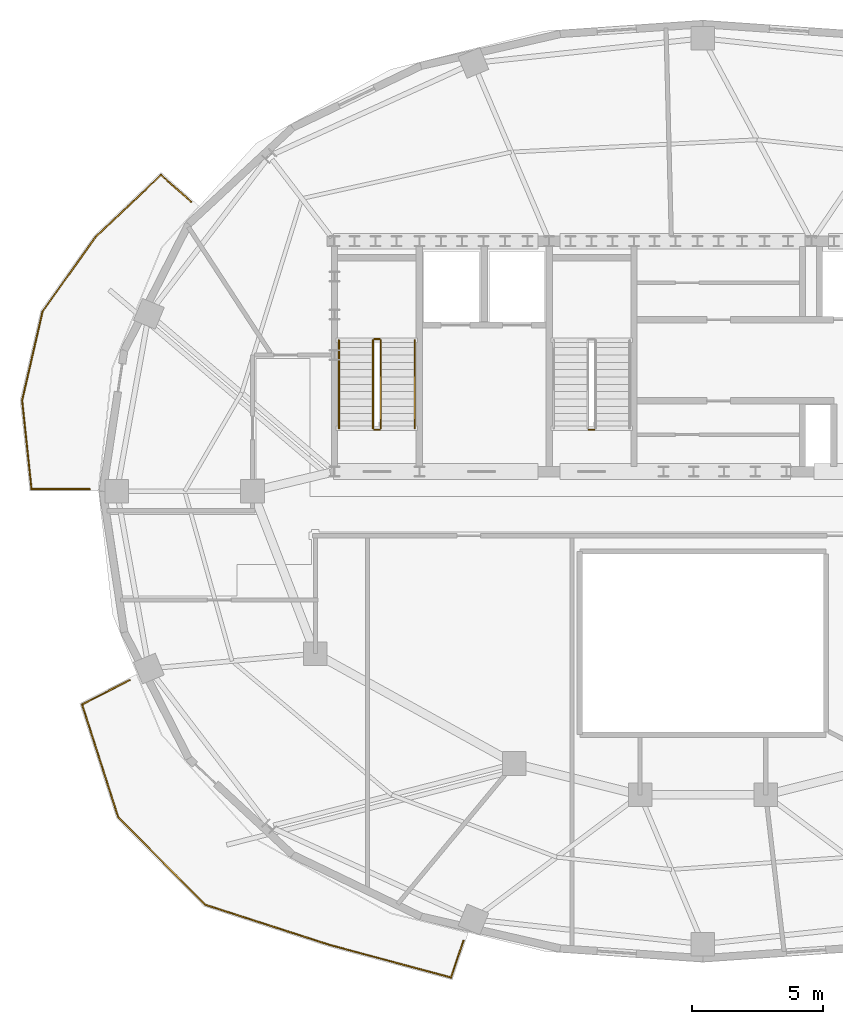
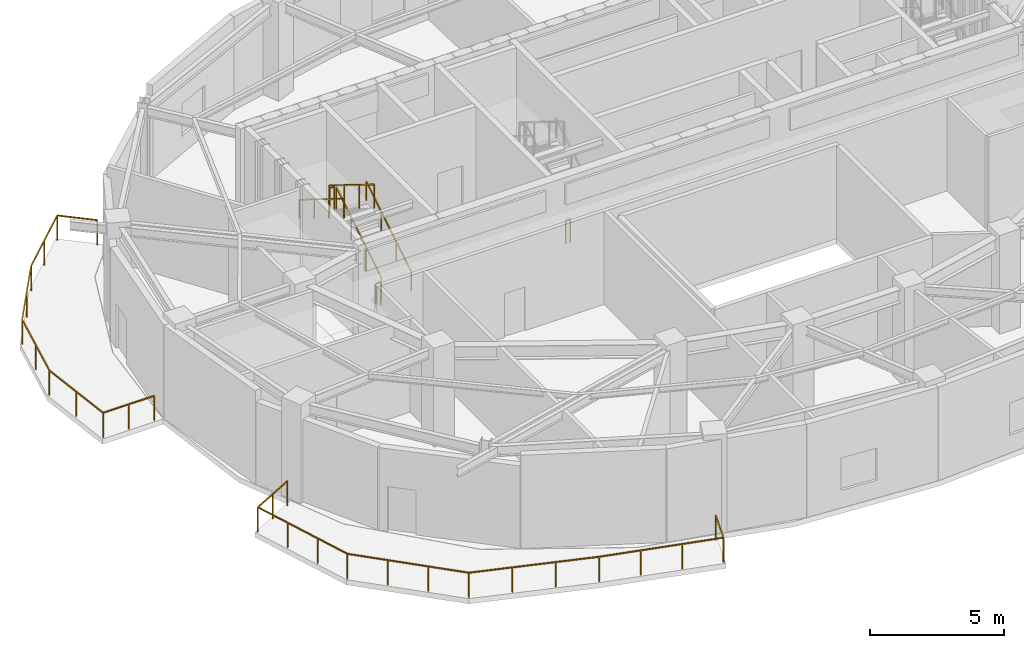
# One storey, part 6 of 9: 9 railings.
"""IFC4 building model written with IfcOpenShell, lengths in metres."""

import ifcopenshell
import ifcopenshell.guid

model = None  # the IFC model being written
_history = None  # IfcOwnerHistory: only IFC2X3 demands one
_inside = {}  # id of a spatial element -> (the spatial element, [elements in it])
_under = {}  # id of a project, library or spatial element -> (it, [spatial elements below it])
_declared = {}  # id of a project -> (the project, [libraries it declares])
_typed = {}  # id of a type object -> (the type object, [elements of that type])
_made_of = {}  # id of a material, layer set ... -> (it, [elements and type objects made of it])


def new_model(schema):
    """Start an empty IFC model of exactly this schema.

    Asked for "IFC4X3", IfcOpenShell would pick the latest addendum, in which some entities
    have other attributes; the version numbers below select the first issue.
    IFC2X3 requires an IfcOwnerHistory on every rooted entity: one is made here for all.
    """
    global model, _history
    if schema == "IFC4X3":
        model = ifcopenshell.file(schema_version=(4, 3, 0, 0))
    else:
        model = ifcopenshell.file(schema=schema)
    _inside.clear()
    _under.clear()
    _declared.clear()
    _typed.clear()
    _made_of.clear()
    _history = None
    if model.schema == "IFC2X3":
        org = make("IfcOrganization", Name="unknown")
        user = make(
            "IfcPersonAndOrganization",
            ThePerson=make("IfcPerson", FamilyName="unknown"),
            TheOrganization=org,
        )
        app = make(
            "IfcApplication",
            ApplicationDeveloper=org,
            Version="unknown",
            ApplicationFullName="unknown",
            ApplicationIdentifier="unknown",
        )
        _history = make(
            "IfcOwnerHistory",
            OwningUser=user,
            OwningApplication=app,
            ChangeAction="ADDED",
            CreationDate=0,
        )
    return model


def make(cls, **values):
    """One entity of the class cls with the attributes given. An attribute that is None is left unset."""
    return model.create_entity(
        cls, **{name: value for name, value in values.items() if value is not None}
    )


def rooted(cls, **values):
    """An entity with a GlobalId (a new one), such as an element, a storey or a relation."""
    return make(cls, GlobalId=ifcopenshell.guid.new(), OwnerHistory=_history, **values)


def si_unit(unit_type, name, prefix=None):
    """IfcSIUnit, for example si_unit("LENGTHUNIT", "METRE", prefix="MILLI")."""
    return make("IfcSIUnit", UnitType=unit_type, Prefix=prefix, Name=name)


def assignment(units):
    """IfcUnitAssignment: the units of a project."""
    return None if units is None else make("IfcUnitAssignment", Units=units)


def point(xyz):
    """IfcCartesianPoint."""
    return None if xyz is None else make("IfcCartesianPoint", Coordinates=xyz)


def direction(xyz):
    """IfcDirection."""
    return None if xyz is None else make("IfcDirection", DirectionRatios=xyz)


def frame(location, z_axis=None, x_axis=None):
    """IfcAxis2Placement3D, a coordinate frame: its origin and axes. An axis left out is left unset."""
    return make(
        "IfcAxis2Placement3D",
        Location=point(location),
        Axis=direction(z_axis),
        RefDirection=direction(x_axis),
    )


def frame_2d(location, x_axis=None):
    """IfcAxis2Placement2D, a coordinate frame in the plane: its origin and x axis."""
    return make(
        "IfcAxis2Placement2D", Location=point(location), RefDirection=direction(x_axis)
    )


def origin():
    """The frame at (0, 0, 0) with its axes left unset."""
    return frame((0.0, 0.0, 0.0))


def origin_2d():
    """The frame at (0, 0) in the plane with its x axis left unset."""
    return frame_2d((0.0, 0.0))


def place(relative_to, where):
    """IfcLocalPlacement: puts the frame where relative to a parent placement (None: the world)."""
    return make(
        "IfcLocalPlacement", PlacementRelTo=relative_to, RelativePlacement=where
    )


def context(
    kind, dimensions, precision=None, world=None, true_north=None, identifier=None
):
    """IfcGeometricRepresentationContext, for example the 3D "Model" context."""
    return make(
        "IfcGeometricRepresentationContext",
        ContextIdentifier=identifier,
        ContextType=kind,
        CoordinateSpaceDimension=dimensions,
        Precision=precision,
        WorldCoordinateSystem=world,
        TrueNorth=true_north,
    )


def subcontext(parent, identifier, kind, view, scale=None):
    """IfcGeometricRepresentationSubContext, for example "Body" below "Model"."""
    return make(
        "IfcGeometricRepresentationSubContext",
        ContextIdentifier=identifier,
        ContextType=kind,
        ParentContext=parent,
        TargetScale=scale,
        TargetView=view,
    )


def project(units=None, contexts=None):
    """IfcProject with its units and contexts."""
    return rooted(
        "IfcProject",
        Name="project",
        RepresentationContexts=contexts,
        UnitsInContext=assignment(units),
    )


def spatial(cls, under=None, at=None, **own):
    """A site, building, storey or space (cls), placed at a placement, below another one or the project."""
    s = rooted(cls, ObjectPlacement=at, **own)
    if under is not None:
        _under.setdefault(under.id(), (under, []))[1].append(s)
    return s


def profile(cls, at=None, kind="AREA", **sizes):
    """A parametric profile (cls). Its sizes go by their IFC names, for example OverallWidth=200.0."""
    return make(cls, ProfileType=kind, Position=at, **sizes)


def rectangle(**sizes):
    """IfcRectangleProfileDef."""
    return profile("IfcRectangleProfileDef", **sizes)


def extrude(swept, where, along, depth):
    """IfcExtrudedAreaSolid: the profile swept, set in the frame where, extruded along a direction by depth."""
    return make(
        "IfcExtrudedAreaSolid",
        SweptArea=swept,
        Position=where,
        ExtrudedDirection=direction(along),
        Depth=depth,
    )


def shape(context_of_items, identifier, shape_type, items):
    """IfcShapeRepresentation: the items that make up one representation, for example the "Body"."""
    return make(
        "IfcShapeRepresentation",
        ContextOfItems=context_of_items,
        RepresentationIdentifier=identifier,
        RepresentationType=shape_type,
        Items=items,
    )


def material(Name=None, Category=None):
    """IfcMaterial."""
    return make("IfcMaterial", Name=Name, Category=Category)


def made_of(thing, what):
    """Note that an element or type object is made of a material, layer set ...; save() writes the relation."""
    if what is not None:
        _made_of.setdefault(what.id(), (what, []))[1].append(thing)
    return thing


def type_object(cls, material=None, **own):
    """A type object (cls), such as IfcWallType, which elements share."""
    return made_of(rooted(cls, **own), material)


def element(
    cls,
    number,
    at=None,
    inside=None,
    cuts=None,
    type_object=None,
    material=None,
    context=None,
    identifier="Body",
    shape_type=None,
    held_by="IfcProductDefinitionShape",
    body=None,
    shapes=None,
    **own,
):
    """One element of the class cls, such as IfcWall. Its Tag is "e" and its number.

    at: its placement. inside: the storey or other place that contains it. cuts: it is an
    opening in that element (IfcRelVoidsElement). A single representation is given by context,
    identifier, shape_type and body (its items); several are given by shapes. held_by: the class
    of the entity that holds the representations. save() writes the other relations.
    """
    e = rooted(cls, Tag="e%d" % number, ObjectPlacement=at, **own)
    if body is not None:
        shapes = [shape(context, identifier, shape_type, body)]
    if shapes is not None:
        e.Representation = make(held_by, Representations=shapes)
    if inside is not None:
        _inside.setdefault(inside.id(), (inside, []))[1].append(e)
    if cuts is not None:
        rooted(
            "IfcRelVoidsElement", RelatingBuildingElement=cuts, RelatedOpeningElement=e
        )
    if type_object is not None:
        _typed.setdefault(type_object.id(), (type_object, []))[1].append(e)
    return made_of(e, material)


def aggregate(whole, parts):
    """IfcRelAggregates: a whole, such as a stair, and the parts it consists of."""
    return rooted("IfcRelAggregates", RelatingObject=whole, RelatedObjects=parts)


def save(model, path):
    """Write the relations noted so far, then the file.

    IfcRelAggregates (storeys below a building ...), IfcRelContainedInSpatialStructure (elements
    in a storey), IfcRelDefinesByType, IfcRelAssociatesMaterial and IfcRelDeclares: one each for
    every whole, place, type object, material and project.
    """
    for whole, parts in _under.values():
        aggregate(whole, parts)
    for where, things in _inside.values():
        rooted(
            "IfcRelContainedInSpatialStructure",
            RelatedElements=things,
            RelatingStructure=where,
        )
    for kind, things in _typed.values():
        rooted("IfcRelDefinesByType", RelatedObjects=things, RelatingType=kind)
    for what, things in _made_of.values():
        rooted("IfcRelAssociatesMaterial", RelatedObjects=things, RelatingMaterial=what)
    for by, libraries in _declared.values():
        rooted("IfcRelDeclares", RelatingContext=by, RelatedDefinitions=libraries)
    model.write(path)


model = new_model("IFC4")

# Units and contexts
model_context = context("Model", 3, precision=1e-05, world=origin(), true_north=direction((0.0, 1.0)))
body_context = subcontext(model_context, "Body", "Model", "MODEL_VIEW")
ifc_project = project(units=[si_unit("LENGTHUNIT", "METRE"), si_unit("AREAUNIT", "SQUARE_METRE"), si_unit("VOLUMEUNIT", "CUBIC_METRE"), si_unit("PLANEANGLEUNIT", "RADIAN"), si_unit("MASSUNIT", "GRAM", prefix="KILO")], contexts=[model_context])

# Site, building, storey
site_placement = place(None, origin())
site = spatial("IfcSite", under=ifc_project, at=site_placement, CompositionType="ELEMENT")
building_placement = place(site_placement, origin())
building = spatial("IfcBuilding", under=site, at=building_placement, Name="Haldorwick Loom Tower", CompositionType="ELEMENT")
storey_placement = place(building_placement, frame((0.0, 0.0, 277.5)))
storey = spatial("IfcBuildingStorey", under=building, at=storey_placement, Name="L75", CompositionType="ELEMENT", Elevation=277.5)

# Railings
ifc_material_1 = material(Name="Galvanized Steel CSA G40.21 350W", Category="steel")
railing_type_1 = type_object("IfcRailingType", Name="ARC-RLG-BAL115", PredefinedType="BALUSTRADE", material=ifc_material_1)
railing_1_placement = place(storey_placement, frame((26.8564453125, 8.834716796875, 0.0)))
element("IfcRailing", 1, at=railing_1_placement, inside=storey, type_object=railing_type_1, Name="L75 Outdoor Terrace Guardrail SLB-L75-BAL_SW-1", PredefinedType="BALUSTRADE", context=body_context, shape_type="SweptSolid", body=[
    extrude(rectangle(XDim=0.048095703125, YDim=0.048095703125, at=origin_2d()), frame((0.0, 0.0, 1.1259765625), z_axis=(-0.321946971986, -0.946757702493, 0.0), x_axis=(0.946757702493, -0.321946971986, 0.0)), (0.0, 0.0, 1.0), 1.484130859375),
    extrude(rectangle(XDim=0.048095703125, YDim=0.048095703125, at=origin_2d()), frame((-0.477783203125, -1.405029296875, 1.1259765625), z_axis=(-0.965840976941, 0.259135499808, 0.0), x_axis=(-0.259135499808, -0.965840976941, 0.0)), (0.0, 0.0, 1.0), 4.806884765625),
    extrude(rectangle(XDim=0.048095703125, YDim=0.048095703125, at=origin_2d()), frame((-5.120361328125, -0.159423828125, 1.1259765625), z_axis=(-0.951479084086, 0.307713426011, 0.0), x_axis=(-0.307713426011, -0.951479084086, 0.0)), (0.0, 0.0, 1.0), 4.988037109375),
    extrude(rectangle(XDim=0.048095703125, YDim=0.048095703125, at=origin_2d()), frame((-9.866455078125, 1.37548828125, 1.1259765625), z_axis=(-0.704897291713, 0.709309388163, 0.0), x_axis=(-0.709309388163, -0.704897291713, 0.0)), (0.0, 0.0, 1.0), 4.703369140625),
    extrude(rectangle(XDim=0.048095703125, YDim=0.048095703125, at=origin_2d()), frame((-13.181884765625, 4.711669921875, 1.1259765625), z_axis=(-0.30559000115, 0.952163195674, 0.0), x_axis=(-0.952163195674, -0.30559000115, 0.0)), (0.0, 0.0, 1.0), 4.525146484375),
    extrude(rectangle(XDim=0.048095703125, YDim=0.048095703125, at=origin_2d()), frame((-14.564697265625, 9.020263671875, 1.1259765625), z_axis=(0.890020821912, 0.455919879544, 0.0), x_axis=(-0.455919879544, 0.890020821912, 0.0)), (0.0, 0.0, 1.0), 2.036376953125),
    extrude(rectangle(XDim=0.0419921875, YDim=0.0419921875, at=origin_2d()), origin(), (0.0, 0.0, 1.0), 1.101806640625),
    extrude(rectangle(XDim=0.0419921875, YDim=0.0419921875, at=origin_2d()), frame((-0.477783203125, -1.405029296875, 0.0)), (0.0, 0.0, 1.0), 1.101806640625),
    extrude(rectangle(XDim=0.0419921875, YDim=0.0419921875, at=origin_2d()), frame((-2.025390625, -0.98974609375, 0.0)), (0.0, 0.0, 1.0), 1.101806640625),
    extrude(rectangle(XDim=0.0419921875, YDim=0.0419921875, at=origin_2d()), frame((-3.57275390625, -0.57470703125, 0.0)), (0.0, 0.0, 1.0), 1.101806640625),
    extrude(rectangle(XDim=0.0419921875, YDim=0.0419921875, at=origin_2d()), frame((-5.120361328125, -0.159423828125, 0.0)), (0.0, 0.0, 1.0), 1.101806640625),
    extrude(rectangle(XDim=0.0419921875, YDim=0.0419921875, at=origin_2d()), frame((-6.702392578125, 0.352294921875, 0.0)), (0.0, 0.0, 1.0), 1.101806640625),
    extrude(rectangle(XDim=0.0419921875, YDim=0.0419921875, at=origin_2d()), frame((-8.284423828125, 0.86376953125, 0.0)), (0.0, 0.0, 1.0), 1.101806640625),
    extrude(rectangle(XDim=0.0419921875, YDim=0.0419921875, at=origin_2d()), frame((-9.866455078125, 1.37548828125, 0.0)), (0.0, 0.0, 1.0), 1.101806640625),
    extrude(rectangle(XDim=0.0419921875, YDim=0.0419921875, at=origin_2d()), frame((-10.9716796875, 2.487548828125, 0.0)), (0.0, 0.0, 1.0), 1.101806640625),
    extrude(rectangle(XDim=0.0419921875, YDim=0.0419921875, at=origin_2d()), frame((-12.07666015625, 3.599609375, 0.0)), (0.0, 0.0, 1.0), 1.101806640625),
    extrude(rectangle(XDim=0.0419921875, YDim=0.0419921875, at=origin_2d()), frame((-13.181884765625, 4.711669921875, 0.0)), (0.0, 0.0, 1.0), 1.101806640625),
    extrude(rectangle(XDim=0.0419921875, YDim=0.0419921875, at=origin_2d()), frame((-13.642822265625, 6.14794921875, 0.0)), (0.0, 0.0, 1.0), 1.101806640625),
    extrude(rectangle(XDim=0.0419921875, YDim=0.0419921875, at=origin_2d()), frame((-14.103759765625, 7.583984375, 0.0)), (0.0, 0.0, 1.0), 1.101806640625),
    extrude(rectangle(XDim=0.0419921875, YDim=0.0419921875, at=origin_2d()), frame((-14.564697265625, 9.020263671875, 0.0)), (0.0, 0.0, 1.0), 1.101806640625),
    extrude(rectangle(XDim=0.0419921875, YDim=0.0419921875, at=origin_2d()), frame((-13.658447265625, 9.484375, 0.0)), (0.0, 0.0, 1.0), 1.101806640625),
    extrude(rectangle(XDim=0.0419921875, YDim=0.0419921875, at=origin_2d()), frame((-12.752197265625, 9.94873046875, 0.0)), (0.0, 0.0, 1.0), 1.101806640625),
])
railing_2_placement = place(storey_placement, frame((12.575927734375, 26.080078125, 0.0)))
element("IfcRailing", 2, at=railing_2_placement, inside=storey, type_object=railing_type_1, Name="L75 Outdoor Terrace Guardrail SLB-L75-BAL_WNW-1", PredefinedType="BALUSTRADE", context=body_context, shape_type="SweptSolid", body=[
    extrude(rectangle(XDim=0.048095703125, YDim=0.048095703125, at=origin_2d()), frame((0.0, 0.0, 1.1259765625), z_axis=(-1.0, 0.0, 0.0), x_axis=(0.0, -1.0, 0.0)), (0.0, 0.0, 1.0), 2.21484375),
    extrude(rectangle(XDim=0.048095703125, YDim=0.048095703125, at=origin_2d()), frame((-2.21484375, 0.0, 1.1259765625), z_axis=(-0.105516286403, 0.994417574917, 0.0), x_axis=(-0.994417574917, -0.105516286403, 0.0)), (0.0, 0.0, 1.0), 3.408203125),
    extrude(rectangle(XDim=0.048095703125, YDim=0.048095703125, at=origin_2d()), frame((-2.574462890625, 3.38916015625, 1.1259765625), z_axis=(0.224071140677, 0.974572790465, 0.0), x_axis=(-0.974572790465, 0.224071140677, 0.0)), (0.0, 0.0, 1.0), 3.4833984375),
    extrude(rectangle(XDim=0.048095703125, YDim=0.048095703125, at=origin_2d()), frame((-1.7939453125, 6.783935546875, 1.1259765625), z_axis=(0.580155658638, 0.814505624137, 0.0), x_axis=(-0.814505624137, 0.580155658638, 0.0)), (0.0, 0.0, 1.0), 3.50048828125),
    extrude(rectangle(XDim=0.048095703125, YDim=0.048095703125, at=origin_2d()), frame((0.23681640625, 9.635009765625, 1.1259765625), z_axis=(0.726042353341, 0.68764998448, 0.0), x_axis=(-0.68764998448, 0.726042353341, 0.0)), (0.0, 0.0, 1.0), 3.433837890625),
    extrude(rectangle(XDim=0.048095703125, YDim=0.048095703125, at=origin_2d()), frame((2.72998046875, 11.996337890625, 1.1259765625), z_axis=(0.747523528943, -0.664235330043, 0.0), x_axis=(0.664235330043, 0.747523528943, 0.0)), (0.0, 0.0, 1.0), 1.532958984375),
    extrude(rectangle(XDim=0.0419921875, YDim=0.0419921875, at=origin_2d()), origin(), (0.0, 0.0, 1.0), 1.101806640625),
    extrude(rectangle(XDim=0.0419921875, YDim=0.0419921875, at=origin_2d()), frame((-1.107421875, 0.0, 0.0)), (0.0, 0.0, 1.0), 1.101806640625),
    extrude(rectangle(XDim=0.0419921875, YDim=0.0419921875, at=origin_2d()), frame((-2.21484375, 0.0, 0.0)), (0.0, 0.0, 1.0), 1.101806640625),
    extrude(rectangle(XDim=0.0419921875, YDim=0.0419921875, at=origin_2d()), frame((-2.39453125, 1.694580078125, 0.0)), (0.0, 0.0, 1.0), 1.101806640625),
    extrude(rectangle(XDim=0.0419921875, YDim=0.0419921875, at=origin_2d()), frame((-2.574462890625, 3.38916015625, 0.0)), (0.0, 0.0, 1.0), 1.101806640625),
    extrude(rectangle(XDim=0.0419921875, YDim=0.0419921875, at=origin_2d()), frame((-2.18408203125, 5.08642578125, 0.0)), (0.0, 0.0, 1.0), 1.101806640625),
    extrude(rectangle(XDim=0.0419921875, YDim=0.0419921875, at=origin_2d()), frame((-1.7939453125, 6.783935546875, 0.0)), (0.0, 0.0, 1.0), 1.101806640625),
    extrude(rectangle(XDim=0.0419921875, YDim=0.0419921875, at=origin_2d()), frame((-0.778564453125, 8.20947265625, 0.0)), (0.0, 0.0, 1.0), 1.101806640625),
    extrude(rectangle(XDim=0.0419921875, YDim=0.0419921875, at=origin_2d()), frame((0.23681640625, 9.635009765625, 0.0)), (0.0, 0.0, 1.0), 1.101806640625),
    extrude(rectangle(XDim=0.0419921875, YDim=0.0419921875, at=origin_2d()), frame((1.4833984375, 10.815673828125, 0.0)), (0.0, 0.0, 1.0), 1.101806640625),
    extrude(rectangle(XDim=0.0419921875, YDim=0.0419921875, at=origin_2d()), frame((2.72998046875, 11.996337890625, 0.0)), (0.0, 0.0, 1.0), 1.101806640625),
    extrude(rectangle(XDim=0.0419921875, YDim=0.0419921875, at=origin_2d()), frame((3.8759765625, 10.97802734375, 0.0)), (0.0, 0.0, 1.0), 1.101806640625),
])
ifc_material_2 = material(Name="Steel CSA G40.21 350W", Category="steel")
railing_type_2 = type_object("IfcRailingType", Name="ARC-RLG-GUARD112", PredefinedType="GUARDRAIL", material=ifc_material_2)
railing_3_placement = place(storey_placement, frame((23.699951171875, 28.39990234375, 0.173095703125)))
element("IfcRailing", 3, at=railing_3_placement, inside=storey, type_object=railing_type_2, Name="L75 ST-01 stair guard 1", PredefinedType="GUARDRAIL", context=body_context, shape_type="SweptSolid", body=[
    extrude(rectangle(XDim=0.048095703125, YDim=0.048095703125, at=origin_2d()), frame((0.0, 0.0, 1.076171875), z_axis=(0.0, 0.850623216509, 0.525775754039), x_axis=(-1.0, 0.0, 0.0)), (0.0, 0.0, 1.0), 3.9501953125),
    extrude(rectangle(XDim=0.0419921875, YDim=0.0419921875, at=origin_2d()), origin(), (0.0, 0.0, 1.0), 1.052001953125),
    extrude(rectangle(XDim=0.0419921875, YDim=0.0419921875, at=origin_2d()), frame((0.0, 1.1201171875, 0.6923828125)), (0.0, 0.0, 1.0), 1.052001953125),
    extrude(rectangle(XDim=0.0419921875, YDim=0.0419921875, at=origin_2d()), frame((0.0, 2.239990234375, 1.384521484375)), (0.0, 0.0, 1.0), 1.052001953125),
    extrude(rectangle(XDim=0.0419921875, YDim=0.0419921875, at=origin_2d()), frame((0.0, 3.360107421875, 2.076904296875)), (0.0, 0.0, 1.0), 1.052001953125),
])
railing_4_placement = place(storey_placement, frame((23.64990234375, 31.81005859375, 2.25)))
element("IfcRailing", 4, at=railing_4_placement, inside=storey, type_object=railing_type_2, Name="L75 ST-01 stair guard 2", PredefinedType="GUARDRAIL", context=body_context, shape_type="SweptSolid", body=[
    extrude(rectangle(XDim=0.048095703125, YDim=0.048095703125, at=origin_2d()), frame((0.0, 0.0, 1.076171875), z_axis=(-1.0, 0.0, 0.0), x_axis=(0.0, -1.0, 0.0)), (0.0, 0.0, 1.0), 0.199951171875),
    extrude(rectangle(XDim=0.0419921875, YDim=0.0419921875, at=origin_2d()), origin(), (0.0, 0.0, 1.0), 1.052001953125),
    extrude(rectangle(XDim=0.0419921875, YDim=0.0419921875, at=origin_2d()), frame((-0.199951171875, 0.0, 0.0)), (0.0, 0.0, 1.0), 1.052001953125),
])
railing_5_placement = place(storey_placement, frame((23.39990234375, 31.760009765625, 2.423095703125)))
element("IfcRailing", 5, at=railing_5_placement, inside=storey, type_object=railing_type_2, Name="L75 ST-01 stair guard 3", PredefinedType="GUARDRAIL", context=body_context, shape_type="SweptSolid", body=[
    extrude(rectangle(XDim=0.048095703125, YDim=0.048095703125, at=origin_2d()), frame((0.0, 0.0, 1.076171875), z_axis=(0.0, -0.850623216509, 0.525775754039), x_axis=(1.0, 0.0, 0.0)), (0.0, 0.0, 1.0), 3.9501953125),
    extrude(rectangle(XDim=0.0419921875, YDim=0.0419921875, at=origin_2d()), origin(), (0.0, 0.0, 1.0), 1.052001953125),
    extrude(rectangle(XDim=0.0419921875, YDim=0.0419921875, at=origin_2d()), frame((0.0, -1.1201171875, 0.6923828125)), (0.0, 0.0, 1.0), 1.052001953125),
    extrude(rectangle(XDim=0.0419921875, YDim=0.0419921875, at=origin_2d()), frame((0.0, -2.239990234375, 1.384521484375)), (0.0, 0.0, 1.0), 1.052001953125),
    extrude(rectangle(XDim=0.0419921875, YDim=0.0419921875, at=origin_2d()), frame((0.0, -3.360107421875, 2.076904296875)), (0.0, 0.0, 1.0), 1.052001953125),
])
railing_6_placement = place(storey_placement, frame((23.64990234375, 28.35009765625, 0.0)))
element("IfcRailing", 6, at=railing_6_placement, inside=storey, type_object=railing_type_2, Name="L75 ST-01 stair guard 4", PredefinedType="GUARDRAIL", context=body_context, shape_type="SweptSolid", body=[
    extrude(rectangle(XDim=0.048095703125, YDim=0.048095703125, at=origin_2d()), frame((0.0, 0.0, 1.076171875), z_axis=(-1.0, 0.0, 0.0), x_axis=(0.0, -1.0, 0.0)), (0.0, 0.0, 1.0), 0.199951171875),
    extrude(rectangle(XDim=0.0419921875, YDim=0.0419921875, at=origin_2d()), origin(), (0.0, 0.0, 1.0), 1.052001953125),
    extrude(rectangle(XDim=0.0419921875, YDim=0.0419921875, at=origin_2d()), frame((-0.199951171875, 0.0, 0.0)), (0.0, 0.0, 1.0), 1.052001953125),
])
railing_7_placement = place(storey_placement, frame((31.85009765625, 28.35009765625, 0.0)))
element("IfcRailing", 7, at=railing_7_placement, inside=storey, type_object=railing_type_2, Name="L75 ST-03 stair guard 4", PredefinedType="GUARDRAIL", context=body_context, shape_type="SweptSolid", body=[
    extrude(rectangle(XDim=0.048095703125, YDim=0.048095703125, at=origin_2d()), frame((0.0, 0.0, 1.076171875), z_axis=(-1.0, 0.0, 0.0), x_axis=(0.0, -1.0, 0.0)), (0.0, 0.0, 1.0), 0.2001953125),
    extrude(rectangle(XDim=0.0419921875, YDim=0.0419921875, at=origin_2d()), origin(), (0.0, 0.0, 1.0), 1.052001953125),
    extrude(rectangle(XDim=0.0419921875, YDim=0.0419921875, at=origin_2d()), frame((-0.2001953125, 0.0, 0.0)), (0.0, 0.0, 1.0), 1.052001953125),
])
railing_type_3 = type_object("IfcRailingType", Name="ARC-RLG-HAND092", PredefinedType="HANDRAIL", material=ifc_material_2)
railing_8_placement = place(storey_placement, frame((25.0, 28.39990234375, 0.173095703125)))
element("IfcRailing", 8, at=railing_8_placement, inside=storey, type_object=railing_type_3, Name="L75 ST-01 stair handrail 1", PredefinedType="HANDRAIL", context=body_context, shape_type="SweptSolid", body=[
    extrude(rectangle(XDim=0.048095703125, YDim=0.048095703125, at=origin_2d()), frame((0.0, 0.0, 0.8759765625), z_axis=(0.0, 0.850623216509, 0.525775754039), x_axis=(-1.0, 0.0, 0.0)), (0.0, 0.0, 1.0), 3.9501953125),
    extrude(rectangle(XDim=0.0419921875, YDim=0.0419921875, at=origin_2d()), origin(), (0.0, 0.0, 1.0), 0.851806640625),
    extrude(rectangle(XDim=0.0419921875, YDim=0.0419921875, at=origin_2d()), frame((0.0, 1.1201171875, 0.6923828125)), (0.0, 0.0, 1.0), 0.851806640625),
    extrude(rectangle(XDim=0.0419921875, YDim=0.0419921875, at=origin_2d()), frame((0.0, 2.239990234375, 1.384521484375)), (0.0, 0.0, 1.0), 0.851806640625),
    extrude(rectangle(XDim=0.0419921875, YDim=0.0419921875, at=origin_2d()), frame((0.0, 3.360107421875, 2.076904296875)), (0.0, 0.0, 1.0), 0.851806640625),
])
railing_9_placement = place(storey_placement, frame((22.10009765625, 31.760009765625, 2.423095703125)))
element("IfcRailing", 9, at=railing_9_placement, inside=storey, type_object=railing_type_3, Name="L75 ST-01 stair handrail 2", PredefinedType="HANDRAIL", context=body_context, shape_type="SweptSolid", body=[
    extrude(rectangle(XDim=0.048095703125, YDim=0.048095703125, at=origin_2d()), frame((0.0, 0.0, 0.8759765625), z_axis=(0.0, -0.850623216509, 0.525775754039), x_axis=(1.0, 0.0, 0.0)), (0.0, 0.0, 1.0), 3.9501953125),
    extrude(rectangle(XDim=0.0419921875, YDim=0.0419921875, at=origin_2d()), origin(), (0.0, 0.0, 1.0), 0.851806640625),
    extrude(rectangle(XDim=0.0419921875, YDim=0.0419921875, at=origin_2d()), frame((0.0, -1.1201171875, 0.6923828125)), (0.0, 0.0, 1.0), 0.851806640625),
    extrude(rectangle(XDim=0.0419921875, YDim=0.0419921875, at=origin_2d()), frame((0.0, -2.239990234375, 1.384521484375)), (0.0, 0.0, 1.0), 0.851806640625),
    extrude(rectangle(XDim=0.0419921875, YDim=0.0419921875, at=origin_2d()), frame((0.0, -3.360107421875, 2.076904296875)), (0.0, 0.0, 1.0), 0.851806640625),
])

save(model, "model.ifc")
